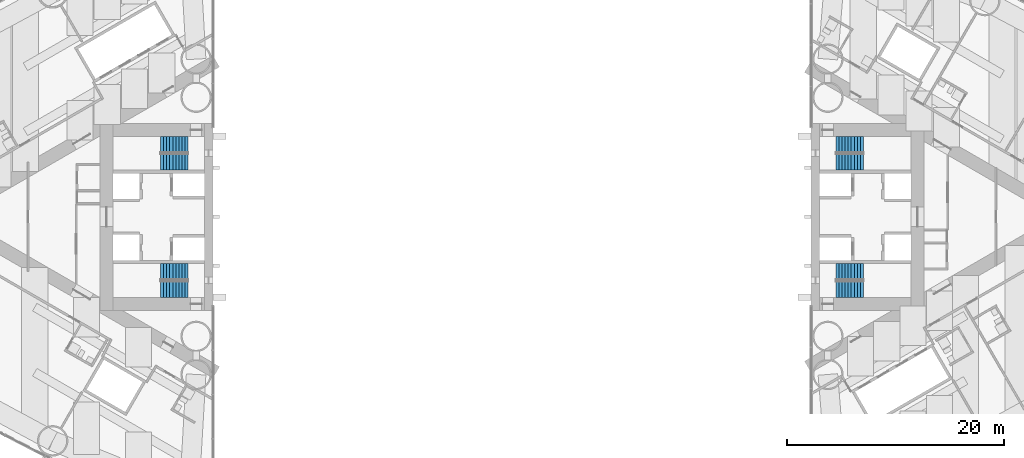
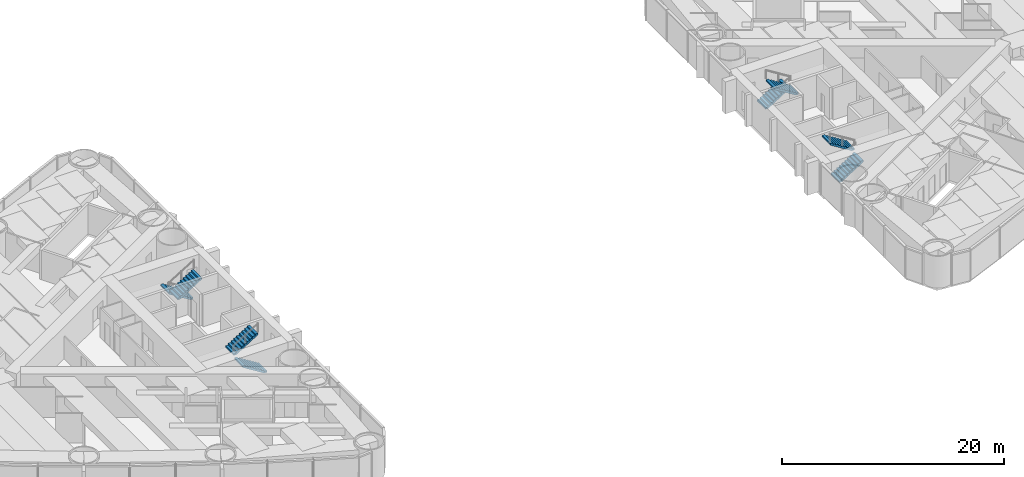
# One storey, part 17 of 19: 8 stair flights, 4 elements without a shape of their own.
"""IFC4 building model written with IfcOpenShell, lengths in metres."""

import ifcopenshell
import ifcopenshell.guid

model = None  # the IFC model being written
_history = None  # IfcOwnerHistory: only IFC2X3 demands one
_inside = {}  # id of a spatial element -> (the spatial element, [elements in it])
_under = {}  # id of a project, library or spatial element -> (it, [spatial elements below it])
_declared = {}  # id of a project -> (the project, [libraries it declares])
_typed = {}  # id of a type object -> (the type object, [elements of that type])
_made_of = {}  # id of a material, layer set ... -> (it, [elements and type objects made of it])


def new_model(schema):
    """Start an empty IFC model of exactly this schema.

    Asked for "IFC4X3", IfcOpenShell would pick the latest addendum, in which some entities
    have other attributes; the version numbers below select the first issue.
    IFC2X3 requires an IfcOwnerHistory on every rooted entity: one is made here for all.
    """
    global model, _history
    if schema == "IFC4X3":
        model = ifcopenshell.file(schema_version=(4, 3, 0, 0))
    else:
        model = ifcopenshell.file(schema=schema)
    _inside.clear()
    _under.clear()
    _declared.clear()
    _typed.clear()
    _made_of.clear()
    _history = None
    if model.schema == "IFC2X3":
        org = make("IfcOrganization", Name="unknown")
        user = make(
            "IfcPersonAndOrganization",
            ThePerson=make("IfcPerson", FamilyName="unknown"),
            TheOrganization=org,
        )
        app = make(
            "IfcApplication",
            ApplicationDeveloper=org,
            Version="unknown",
            ApplicationFullName="unknown",
            ApplicationIdentifier="unknown",
        )
        _history = make(
            "IfcOwnerHistory",
            OwningUser=user,
            OwningApplication=app,
            ChangeAction="ADDED",
            CreationDate=0,
        )
    return model


def make(cls, **values):
    """One entity of the class cls with the attributes given. An attribute that is None is left unset."""
    return model.create_entity(
        cls, **{name: value for name, value in values.items() if value is not None}
    )


def rooted(cls, **values):
    """An entity with a GlobalId (a new one), such as an element, a storey or a relation."""
    return make(cls, GlobalId=ifcopenshell.guid.new(), OwnerHistory=_history, **values)


def si_unit(unit_type, name, prefix=None):
    """IfcSIUnit, for example si_unit("LENGTHUNIT", "METRE", prefix="MILLI")."""
    return make("IfcSIUnit", UnitType=unit_type, Prefix=prefix, Name=name)


def assignment(units):
    """IfcUnitAssignment: the units of a project."""
    return None if units is None else make("IfcUnitAssignment", Units=units)


def point(xyz):
    """IfcCartesianPoint."""
    return None if xyz is None else make("IfcCartesianPoint", Coordinates=xyz)


def direction(xyz):
    """IfcDirection."""
    return None if xyz is None else make("IfcDirection", DirectionRatios=xyz)


def frame(location, z_axis=None, x_axis=None):
    """IfcAxis2Placement3D, a coordinate frame: its origin and axes. An axis left out is left unset."""
    return make(
        "IfcAxis2Placement3D",
        Location=point(location),
        Axis=direction(z_axis),
        RefDirection=direction(x_axis),
    )


def origin():
    """The frame at (0, 0, 0) with its axes left unset."""
    return frame((0.0, 0.0, 0.0))


def place(relative_to, where):
    """IfcLocalPlacement: puts the frame where relative to a parent placement (None: the world)."""
    return make(
        "IfcLocalPlacement", PlacementRelTo=relative_to, RelativePlacement=where
    )


def context(
    kind, dimensions, precision=None, world=None, true_north=None, identifier=None
):
    """IfcGeometricRepresentationContext, for example the 3D "Model" context."""
    return make(
        "IfcGeometricRepresentationContext",
        ContextIdentifier=identifier,
        ContextType=kind,
        CoordinateSpaceDimension=dimensions,
        Precision=precision,
        WorldCoordinateSystem=world,
        TrueNorth=true_north,
    )


def subcontext(parent, identifier, kind, view, scale=None):
    """IfcGeometricRepresentationSubContext, for example "Body" below "Model"."""
    return make(
        "IfcGeometricRepresentationSubContext",
        ContextIdentifier=identifier,
        ContextType=kind,
        ParentContext=parent,
        TargetScale=scale,
        TargetView=view,
    )


def project(units=None, contexts=None):
    """IfcProject with its units and contexts."""
    return rooted(
        "IfcProject",
        Name="project",
        RepresentationContexts=contexts,
        UnitsInContext=assignment(units),
    )


def spatial(cls, under=None, at=None, **own):
    """A site, building, storey or space (cls), placed at a placement, below another one or the project."""
    s = rooted(cls, ObjectPlacement=at, **own)
    if under is not None:
        _under.setdefault(under.id(), (under, []))[1].append(s)
    return s


def polyline(points):
    """IfcPolyline through the points."""
    return make("IfcPolyline", Points=[point(p) for p in points])


def outline(outer, holes=None, kind="AREA"):
    """IfcArbitraryClosedProfileDef: a profile drawn as a closed curve; with holes, ...WithVoids."""
    if holes is None:
        return make("IfcArbitraryClosedProfileDef", ProfileType=kind, OuterCurve=outer)
    return make(
        "IfcArbitraryProfileDefWithVoids",
        ProfileType=kind,
        OuterCurve=outer,
        InnerCurves=holes,
    )


def extrude(swept, where, along, depth):
    """IfcExtrudedAreaSolid: the profile swept, set in the frame where, extruded along a direction by depth."""
    return make(
        "IfcExtrudedAreaSolid",
        SweptArea=swept,
        Position=where,
        ExtrudedDirection=direction(along),
        Depth=depth,
    )


def shape(context_of_items, identifier, shape_type, items):
    """IfcShapeRepresentation: the items that make up one representation, for example the "Body"."""
    return make(
        "IfcShapeRepresentation",
        ContextOfItems=context_of_items,
        RepresentationIdentifier=identifier,
        RepresentationType=shape_type,
        Items=items,
    )


def material(Name=None, Category=None):
    """IfcMaterial."""
    return make("IfcMaterial", Name=Name, Category=Category)


def made_of(thing, what):
    """Note that an element or type object is made of a material, layer set ...; save() writes the relation."""
    if what is not None:
        _made_of.setdefault(what.id(), (what, []))[1].append(thing)
    return thing


def type_object(cls, material=None, **own):
    """A type object (cls), such as IfcWallType, which elements share."""
    return made_of(rooted(cls, **own), material)


def element(
    cls,
    number,
    at=None,
    inside=None,
    cuts=None,
    type_object=None,
    material=None,
    context=None,
    identifier="Body",
    shape_type=None,
    held_by="IfcProductDefinitionShape",
    body=None,
    shapes=None,
    **own,
):
    """One element of the class cls, such as IfcWall. Its Tag is "e" and its number.

    at: its placement. inside: the storey or other place that contains it. cuts: it is an
    opening in that element (IfcRelVoidsElement). A single representation is given by context,
    identifier, shape_type and body (its items); several are given by shapes. held_by: the class
    of the entity that holds the representations. save() writes the other relations.
    """
    e = rooted(cls, Tag="e%d" % number, ObjectPlacement=at, **own)
    if body is not None:
        shapes = [shape(context, identifier, shape_type, body)]
    if shapes is not None:
        e.Representation = make(held_by, Representations=shapes)
    if inside is not None:
        _inside.setdefault(inside.id(), (inside, []))[1].append(e)
    if cuts is not None:
        rooted(
            "IfcRelVoidsElement", RelatingBuildingElement=cuts, RelatedOpeningElement=e
        )
    if type_object is not None:
        _typed.setdefault(type_object.id(), (type_object, []))[1].append(e)
    return made_of(e, material)


def aggregate(whole, parts):
    """IfcRelAggregates: a whole, such as a stair, and the parts it consists of."""
    return rooted("IfcRelAggregates", RelatingObject=whole, RelatedObjects=parts)


def save(model, path):
    """Write the relations noted so far, then the file.

    IfcRelAggregates (storeys below a building ...), IfcRelContainedInSpatialStructure (elements
    in a storey), IfcRelDefinesByType, IfcRelAssociatesMaterial and IfcRelDeclares: one each for
    every whole, place, type object, material and project.
    """
    for whole, parts in _under.values():
        aggregate(whole, parts)
    for where, things in _inside.values():
        rooted(
            "IfcRelContainedInSpatialStructure",
            RelatedElements=things,
            RelatingStructure=where,
        )
    for kind, things in _typed.values():
        rooted("IfcRelDefinesByType", RelatedObjects=things, RelatingType=kind)
    for what, things in _made_of.values():
        rooted("IfcRelAssociatesMaterial", RelatedObjects=things, RelatingMaterial=what)
    for by, libraries in _declared.values():
        rooted("IfcRelDeclares", RelatingContext=by, RelatedDefinitions=libraries)
    model.write(path)


model = new_model("IFC4")

# Units and contexts
model_context = context("Model", 3, precision=1e-05, world=origin(), true_north=direction((0.0, 1.0)))
body_context = subcontext(model_context, "Body", "Model", "MODEL_VIEW")
ifc_project = project(units=[si_unit("LENGTHUNIT", "METRE"), si_unit("AREAUNIT", "SQUARE_METRE"), si_unit("VOLUMEUNIT", "CUBIC_METRE"), si_unit("PLANEANGLEUNIT", "RADIAN"), si_unit("MASSUNIT", "GRAM", prefix="KILO")], contexts=[model_context])

# Site, building, storey
site_placement = place(None, origin())
site = spatial("IfcSite", under=ifc_project, at=site_placement, CompositionType="ELEMENT")
building_placement = place(site_placement, origin())
building = spatial("IfcBuilding", under=site, at=building_placement, Name="Lancet Gate Hotel", CompositionType="ELEMENT")
storey_placement = place(building_placement, frame((0.0, 0.0, 60.0)))
storey = spatial("IfcBuildingStorey", under=building, at=storey_placement, Name="L15", CompositionType="ELEMENT", Elevation=60.0)

# Stair, stair flights
ifc_material_1 = material(Name="Exit stair 20 risers 1500")
stair_type = type_object("IfcStairType", Name="Exit stair 20 risers 1500", PredefinedType="HALF_TURN_STAIR", material=ifc_material_1)
stair_1_placement = place(storey_placement, origin())
stair_1 = element("IfcStair", 1, at=stair_1_placement, inside=storey, type_object=stair_type, Name="T1 stair 1 L15", PredefinedType="HALF_TURN_STAIR")
ifc_material_2 = material(Name="Stair flight 10 risers 175 rise 1500")
stair_flight_type = type_object("IfcStairFlightType", Name="Stair flight 10 risers 175 rise 1500", PredefinedType="STRAIGHT", material=ifc_material_2)
stair_flight_1_placement = place(storey_placement, frame((-29.800048828125, 6.64990234375, 0.0), z_axis=(0.0, 0.0, 1.0), x_axis=(-1.0, 0.0, 0.0)))
stair_flight_1 = element("IfcStairFlight", 2, at=stair_flight_1_placement, type_object=stair_flight_type, Name="ST1 flight 1", NumberOfRisers=10, NumberOfTreads=9, PredefinedType="STRAIGHT", RiserHeight=0.175, TreadLength=0.28, context=body_context, shape_type="SweptSolid", body=[
    extrude(outline(polyline([(0.0, 0.0), (0.0, 0.175048828125), (0.280029296875, 0.175048828125), (0.280029296875, 0.35009765625), (0.56005859375, 0.35009765625), (0.56005859375, 0.52490234375), (0.840087890625, 0.52490234375), (0.840087890625, 0.699951171875), (1.1201171875, 0.699951171875), (1.1201171875, 0.875), (1.39990234375, 0.875), (1.39990234375, 1.050048828125), (1.679931640625, 1.050048828125), (1.679931640625, 1.22509765625), (1.9599609375, 1.22509765625), (1.9599609375, 1.39990234375), (2.239990234375, 1.39990234375), (2.239990234375, 1.574951171875), (2.52001953125, 1.574951171875), (2.52001953125, 1.75), (2.52001953125, 1.398193359375), (0.28271484375, 0.0), (0.0, 0.0)])), frame((0.0, 0.75, 0.0), z_axis=(0.0, -1.0, 0.0), x_axis=(1.0, 0.0, 0.0)), (0.0, 0.0, 1.0), 1.5),
])
stair_flight_2_placement = place(storey_placement, frame((-32.320068359375, 5.050048828125, 1.75), z_axis=(0.0, 0.0, 1.0), x_axis=(1.0, 0.0, 0.0)))
stair_flight_2 = element("IfcStairFlight", 3, at=stair_flight_2_placement, type_object=stair_flight_type, Name="ST1 flight 2", NumberOfRisers=10, NumberOfTreads=9, PredefinedType="STRAIGHT", RiserHeight=0.175, TreadLength=0.28, context=body_context, shape_type="SweptSolid", body=[
    extrude(outline(polyline([(0.0, 0.0), (0.0, 0.175048828125), (0.280029296875, 0.175048828125), (0.280029296875, 0.35009765625), (0.56005859375, 0.35009765625), (0.56005859375, 0.52490234375), (0.840087890625, 0.52490234375), (0.840087890625, 0.699951171875), (1.1201171875, 0.699951171875), (1.1201171875, 0.875), (1.39990234375, 0.875), (1.39990234375, 1.050048828125), (1.679931640625, 1.050048828125), (1.679931640625, 1.22509765625), (1.9599609375, 1.22509765625), (1.9599609375, 1.39990234375), (2.239990234375, 1.39990234375), (2.239990234375, 1.574951171875), (2.52001953125, 1.574951171875), (2.52001953125, 1.75), (2.52001953125, 1.398193359375), (0.28271484375, 0.0), (0.0, 0.0)])), frame((0.0, 0.75, 0.0), z_axis=(0.0, -1.0, 0.0), x_axis=(1.0, 0.0, 0.0)), (0.0, 0.0, 1.0), 1.5),
])
aggregate(stair_1, [stair_flight_1, stair_flight_2])

stair_2_placement = place(storey_placement, origin())
stair_2 = element("IfcStair", 4, at=stair_2_placement, inside=storey, type_object=stair_type, Name="T1 stair 2 L15", PredefinedType="HALF_TURN_STAIR")
stair_flight_3_placement = place(storey_placement, frame((-29.800048828125, -6.64990234375, 0.0), z_axis=(0.0, 0.0, 1.0), x_axis=(-1.0, 0.0, 0.0)))
stair_flight_3 = element("IfcStairFlight", 5, at=stair_flight_3_placement, type_object=stair_flight_type, Name="ST2 flight 1", NumberOfRisers=10, NumberOfTreads=9, PredefinedType="STRAIGHT", RiserHeight=0.175, TreadLength=0.28, context=body_context, shape_type="SweptSolid", body=[
    extrude(outline(polyline([(0.0, 0.0), (0.0, 0.175048828125), (0.280029296875, 0.175048828125), (0.280029296875, 0.35009765625), (0.56005859375, 0.35009765625), (0.56005859375, 0.52490234375), (0.840087890625, 0.52490234375), (0.840087890625, 0.699951171875), (1.1201171875, 0.699951171875), (1.1201171875, 0.875), (1.39990234375, 0.875), (1.39990234375, 1.050048828125), (1.679931640625, 1.050048828125), (1.679931640625, 1.22509765625), (1.9599609375, 1.22509765625), (1.9599609375, 1.39990234375), (2.239990234375, 1.39990234375), (2.239990234375, 1.574951171875), (2.52001953125, 1.574951171875), (2.52001953125, 1.75), (2.52001953125, 1.398193359375), (0.28271484375, 0.0), (0.0, 0.0)])), frame((0.0, 0.75, 0.0), z_axis=(0.0, -1.0, 0.0), x_axis=(1.0, 0.0, 0.0)), (0.0, 0.0, 1.0), 1.5),
])
stair_flight_4_placement = place(storey_placement, frame((-32.320068359375, -5.050048828125, 1.75), z_axis=(0.0, 0.0, 1.0), x_axis=(1.0, 0.0, 0.0)))
stair_flight_4 = element("IfcStairFlight", 6, at=stair_flight_4_placement, type_object=stair_flight_type, Name="ST2 flight 2", NumberOfRisers=10, NumberOfTreads=9, PredefinedType="STRAIGHT", RiserHeight=0.175, TreadLength=0.28, context=body_context, shape_type="SweptSolid", body=[
    extrude(outline(polyline([(0.0, 0.0), (0.0, 0.175048828125), (0.280029296875, 0.175048828125), (0.280029296875, 0.35009765625), (0.56005859375, 0.35009765625), (0.56005859375, 0.52490234375), (0.840087890625, 0.52490234375), (0.840087890625, 0.699951171875), (1.1201171875, 0.699951171875), (1.1201171875, 0.875), (1.39990234375, 0.875), (1.39990234375, 1.050048828125), (1.679931640625, 1.050048828125), (1.679931640625, 1.22509765625), (1.9599609375, 1.22509765625), (1.9599609375, 1.39990234375), (2.239990234375, 1.39990234375), (2.239990234375, 1.574951171875), (2.52001953125, 1.574951171875), (2.52001953125, 1.75), (2.52001953125, 1.398193359375), (0.28271484375, 0.0), (0.0, 0.0)])), frame((0.0, 0.75, 0.0), z_axis=(0.0, -1.0, 0.0), x_axis=(1.0, 0.0, 0.0)), (0.0, 0.0, 1.0), 1.5),
])
aggregate(stair_2, [stair_flight_3, stair_flight_4])

stair_3_placement = place(storey_placement, origin())
stair_3 = element("IfcStair", 7, at=stair_3_placement, inside=storey, type_object=stair_type, Name="T2 stair 1 L15", PredefinedType="HALF_TURN_STAIR")
stair_flight_5_placement = place(storey_placement, frame((29.800048828125, -6.64990234375, 0.0), z_axis=(0.0, 0.0, 1.0), x_axis=(1.0, 0.0, 0.0)))
stair_flight_5 = element("IfcStairFlight", 8, at=stair_flight_5_placement, type_object=stair_flight_type, Name="ST3 flight 1", NumberOfRisers=10, NumberOfTreads=9, PredefinedType="STRAIGHT", RiserHeight=0.175, TreadLength=0.28, context=body_context, shape_type="SweptSolid", body=[
    extrude(outline(polyline([(0.0, 0.0), (0.0, 0.175048828125), (0.280029296875, 0.175048828125), (0.280029296875, 0.35009765625), (0.56005859375, 0.35009765625), (0.56005859375, 0.52490234375), (0.840087890625, 0.52490234375), (0.840087890625, 0.699951171875), (1.1201171875, 0.699951171875), (1.1201171875, 0.875), (1.39990234375, 0.875), (1.39990234375, 1.050048828125), (1.679931640625, 1.050048828125), (1.679931640625, 1.22509765625), (1.9599609375, 1.22509765625), (1.9599609375, 1.39990234375), (2.239990234375, 1.39990234375), (2.239990234375, 1.574951171875), (2.52001953125, 1.574951171875), (2.52001953125, 1.75), (2.52001953125, 1.398193359375), (0.28271484375, 0.0), (0.0, 0.0)])), frame((0.0, 0.75, 0.0), z_axis=(0.0, -1.0, 0.0), x_axis=(1.0, 0.0, 0.0)), (0.0, 0.0, 1.0), 1.5),
])
stair_flight_6_placement = place(storey_placement, frame((32.320068359375, -5.050048828125, 1.75), z_axis=(0.0, 0.0, 1.0), x_axis=(-1.0, 0.0, 0.0)))
stair_flight_6 = element("IfcStairFlight", 9, at=stair_flight_6_placement, type_object=stair_flight_type, Name="ST3 flight 2", NumberOfRisers=10, NumberOfTreads=9, PredefinedType="STRAIGHT", RiserHeight=0.175, TreadLength=0.28, context=body_context, shape_type="SweptSolid", body=[
    extrude(outline(polyline([(0.0, 0.0), (0.0, 0.175048828125), (0.280029296875, 0.175048828125), (0.280029296875, 0.35009765625), (0.56005859375, 0.35009765625), (0.56005859375, 0.52490234375), (0.840087890625, 0.52490234375), (0.840087890625, 0.699951171875), (1.1201171875, 0.699951171875), (1.1201171875, 0.875), (1.39990234375, 0.875), (1.39990234375, 1.050048828125), (1.679931640625, 1.050048828125), (1.679931640625, 1.22509765625), (1.9599609375, 1.22509765625), (1.9599609375, 1.39990234375), (2.239990234375, 1.39990234375), (2.239990234375, 1.574951171875), (2.52001953125, 1.574951171875), (2.52001953125, 1.75), (2.52001953125, 1.398193359375), (0.28271484375, 0.0), (0.0, 0.0)])), frame((0.0, 0.75, 0.0), z_axis=(0.0, -1.0, 0.0), x_axis=(1.0, 0.0, 0.0)), (0.0, 0.0, 1.0), 1.5),
])
aggregate(stair_3, [stair_flight_5, stair_flight_6])

stair_4_placement = place(storey_placement, origin())
stair_4 = element("IfcStair", 10, at=stair_4_placement, inside=storey, type_object=stair_type, Name="T2 stair 2 L15", PredefinedType="HALF_TURN_STAIR")
stair_flight_7_placement = place(storey_placement, frame((29.800048828125, 6.64990234375, 0.0), z_axis=(0.0, 0.0, 1.0), x_axis=(1.0, 0.0, 0.0)))
stair_flight_7 = element("IfcStairFlight", 11, at=stair_flight_7_placement, type_object=stair_flight_type, Name="ST4 flight 1", NumberOfRisers=10, NumberOfTreads=9, PredefinedType="STRAIGHT", RiserHeight=0.175, TreadLength=0.28, context=body_context, shape_type="SweptSolid", body=[
    extrude(outline(polyline([(0.0, 0.0), (0.0, 0.175048828125), (0.280029296875, 0.175048828125), (0.280029296875, 0.35009765625), (0.56005859375, 0.35009765625), (0.56005859375, 0.52490234375), (0.840087890625, 0.52490234375), (0.840087890625, 0.699951171875), (1.1201171875, 0.699951171875), (1.1201171875, 0.875), (1.39990234375, 0.875), (1.39990234375, 1.050048828125), (1.679931640625, 1.050048828125), (1.679931640625, 1.22509765625), (1.9599609375, 1.22509765625), (1.9599609375, 1.39990234375), (2.239990234375, 1.39990234375), (2.239990234375, 1.574951171875), (2.52001953125, 1.574951171875), (2.52001953125, 1.75), (2.52001953125, 1.398193359375), (0.28271484375, 0.0), (0.0, 0.0)])), frame((0.0, 0.75, 0.0), z_axis=(0.0, -1.0, 0.0), x_axis=(1.0, 0.0, 0.0)), (0.0, 0.0, 1.0), 1.5),
])
stair_flight_8_placement = place(storey_placement, frame((32.320068359375, 5.050048828125, 1.75), z_axis=(0.0, 0.0, 1.0), x_axis=(-1.0, 0.0, 0.0)))
stair_flight_8 = element("IfcStairFlight", 12, at=stair_flight_8_placement, type_object=stair_flight_type, Name="ST4 flight 2", NumberOfRisers=10, NumberOfTreads=9, PredefinedType="STRAIGHT", RiserHeight=0.175, TreadLength=0.28, context=body_context, shape_type="SweptSolid", body=[
    extrude(outline(polyline([(0.0, 0.0), (0.0, 0.175048828125), (0.280029296875, 0.175048828125), (0.280029296875, 0.35009765625), (0.56005859375, 0.35009765625), (0.56005859375, 0.52490234375), (0.840087890625, 0.52490234375), (0.840087890625, 0.699951171875), (1.1201171875, 0.699951171875), (1.1201171875, 0.875), (1.39990234375, 0.875), (1.39990234375, 1.050048828125), (1.679931640625, 1.050048828125), (1.679931640625, 1.22509765625), (1.9599609375, 1.22509765625), (1.9599609375, 1.39990234375), (2.239990234375, 1.39990234375), (2.239990234375, 1.574951171875), (2.52001953125, 1.574951171875), (2.52001953125, 1.75), (2.52001953125, 1.398193359375), (0.28271484375, 0.0), (0.0, 0.0)])), frame((0.0, 0.75, 0.0), z_axis=(0.0, -1.0, 0.0), x_axis=(1.0, 0.0, 0.0)), (0.0, 0.0, 1.0), 1.5),
])
aggregate(stair_4, [stair_flight_7, stair_flight_8])

save(model, "model.ifc")
